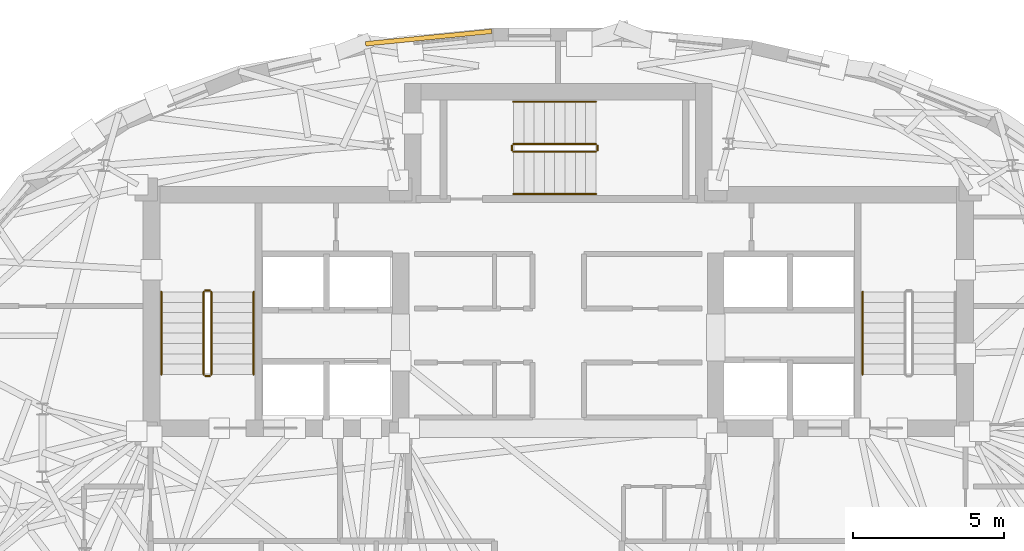
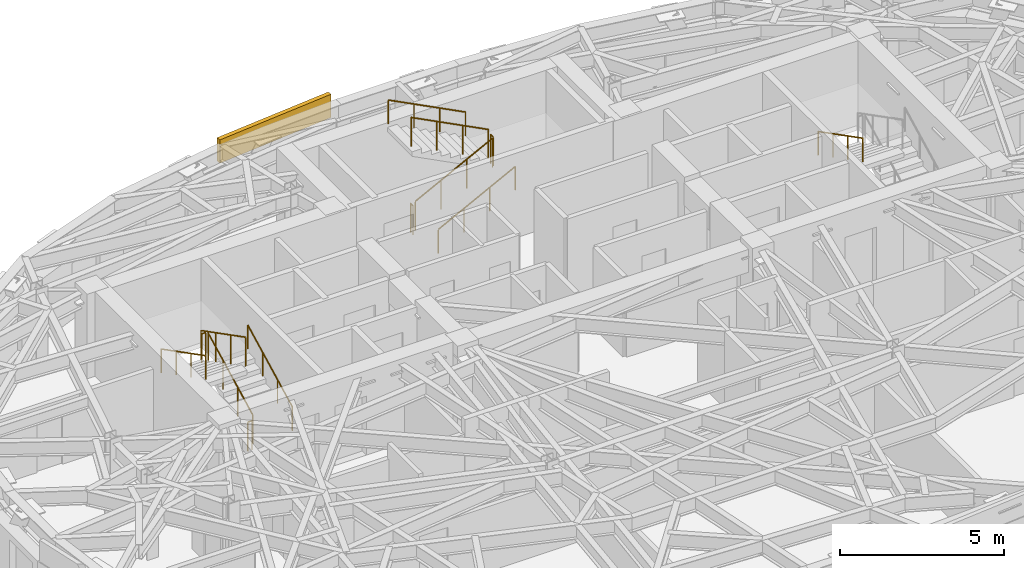
# One storey, part 12 of 13: 13 railings, 1 covering.
"""IFC4 building model written with IfcOpenShell, lengths in metres."""

from ifc_helpers import new_model, si_unit, direction, frame, origin, origin_2d, place, context, subcontext, project, spatial, rectangle, circle, extrude, material, layer, layer_set, type_object, element, save


model = new_model("IFC4")

# Units and contexts
model_context = context("Model", 3, precision=1e-05, world=origin(), true_north=direction((0.0, 1.0)))
body_context = subcontext(model_context, "Body", "Model", "MODEL_VIEW")
ifc_project = project(units=[si_unit("LENGTHUNIT", "METRE"), si_unit("AREAUNIT", "SQUARE_METRE"), si_unit("VOLUMEUNIT", "CUBIC_METRE"), si_unit("PLANEANGLEUNIT", "RADIAN"), si_unit("MASSUNIT", "GRAM", prefix="KILO")], contexts=[model_context])

# Site, building, storey
site_placement = place(None, origin())
site = spatial("IfcSite", under=ifc_project, at=site_placement, CompositionType="ELEMENT")
building_placement = place(site_placement, origin())
building = spatial("IfcBuilding", under=site, at=building_placement, Name="Keldmark Tower", CompositionType="ELEMENT")
storey_placement = place(building_placement, frame((0.0, 0.0, 244.64990234375)))
storey = spatial("IfcBuildingStorey", under=building, at=storey_placement, Name="L69", CompositionType="ELEMENT", Elevation=244.64990234375)

# Covering
ifc_material_1 = material(Name="Honed Kasota Buff Dolomitic Limestone", Category="masonry")
ifc_layer = layer(ifc_material_1, 0.074951171875)
ifc_layer_set = layer_set([ifc_layer], Name="Honed Kasota Buff Dolomitic Limestone")
covering_type = type_object("IfcCoveringType", Name="Kasota Buff Limestone Spandrel Cladding Band", PredefinedType="CLADDING", material=ifc_layer_set)
covering_placement = place(storey_placement, frame((-4.276123046875, 14.467529296875, 2.260009765625), z_axis=(0.0, 0.0, 1.0), x_axis=(-0.995131548634, -0.098555572711, 0.0)))
element("IfcCovering", 1, at=covering_placement, inside=storey, type_object=covering_type, Name="L69 Kasota Limestone Spandrel Band 09", PredefinedType="CLADDING", context=body_context, shape_type="SweptSolid", body=[
    extrude(rectangle(XDim=4.17919921875, YDim=0.14990234375, at=origin_2d()), origin(), (0.0, 0.0, 1.0), 0.8701171875),
])

# Railings
ifc_material_2 = material(Name="Painted Steel ASTM A500 Grade B", Category="steel")
railing_type_1 = type_object("IfcRailingType", Name="Painted Steel Stair Well Guard 1100 mm", PredefinedType="GUARDRAIL", material=ifc_material_2)
railing_1_placement = place(storey_placement, frame((-11.449951171875, 3.35009765625, 0.175048828125)))
element("IfcRailing", 2, at=railing_1_placement, inside=storey, type_object=railing_type_1, Name="L69 ST1 stair guard 1", PredefinedType="GUARDRAIL", context=body_context, shape_type="SweptSolid", body=[
    extrude(circle(Radius=0.02392578125, at=origin_2d()), frame((0.0, 0.0, 1.076171875), z_axis=(0.0, 0.889114319608, 0.457685182924), x_axis=(-1.0, 0.0, 0.0)), (0.0, 0.0, 1.0), 3.05908203125),
    extrude(circle(Radius=0.02099609375, at=origin_2d()), origin(), (0.0, 0.0, 1.0), 1.052001953125),
    extrude(circle(Radius=0.02099609375, at=origin_2d()), frame((0.0, 0.90673828125, 0.466796875)), (0.0, 0.0, 1.0), 1.052001953125),
    extrude(circle(Radius=0.02099609375, at=origin_2d()), frame((0.0, 1.813232421875, 0.933349609375)), (0.0, 0.0, 1.0), 1.052001953125),
    extrude(circle(Radius=0.02099609375, at=origin_2d()), frame((0.0, 2.719970703125, 1.400146484375)), (0.0, 0.0, 1.0), 1.052001953125),
])
railing_2_placement = place(storey_placement, frame((-11.5, 6.1201171875, 1.5751953125)))
element("IfcRailing", 3, at=railing_2_placement, inside=storey, type_object=railing_type_1, Name="L69 ST1 stair guard 2", PredefinedType="GUARDRAIL", context=body_context, shape_type="SweptSolid", body=[
    extrude(circle(Radius=0.02392578125, at=origin_2d()), frame((0.0, 0.0, 1.076171875), z_axis=(-1.0, 0.0, 0.0), x_axis=(0.0, -1.0, 0.0)), (0.0, 0.0, 1.0), 0.14990234375),
    extrude(circle(Radius=0.02099609375, at=origin_2d()), origin(), (0.0, 0.0, 1.0), 1.052001953125),
    extrude(circle(Radius=0.02099609375, at=origin_2d()), frame((-0.14990234375, 0.0, 0.0)), (0.0, 0.0, 1.0), 1.052001953125),
])
railing_3_placement = place(storey_placement, frame((-11.699951171875, 6.070068359375, 1.75)))
element("IfcRailing", 4, at=railing_3_placement, inside=storey, type_object=railing_type_1, Name="L69 ST1 stair guard 3", PredefinedType="GUARDRAIL", context=body_context, shape_type="SweptSolid", body=[
    extrude(circle(Radius=0.02392578125, at=origin_2d()), frame((0.0, 0.0, 1.076171875), z_axis=(0.0, -0.889114319608, 0.457685182924), x_axis=(1.0, 0.0, 0.0)), (0.0, 0.0, 1.0), 3.05908203125),
    extrude(circle(Radius=0.02099609375, at=origin_2d()), origin(), (0.0, 0.0, 1.0), 1.052001953125),
    extrude(circle(Radius=0.02099609375, at=origin_2d()), frame((0.0, -0.90673828125, 0.466796875)), (0.0, 0.0, 1.0), 1.052001953125),
    extrude(circle(Radius=0.02099609375, at=origin_2d()), frame((0.0, -1.813232421875, 0.933349609375)), (0.0, 0.0, 1.0), 1.052001953125),
    extrude(circle(Radius=0.02099609375, at=origin_2d()), frame((0.0, -2.719970703125, 1.400146484375)), (0.0, 0.0, 1.0), 1.052001953125),
])
railing_4_placement = place(storey_placement, frame((-11.5, 3.300048828125, 0.0)))
element("IfcRailing", 5, at=railing_4_placement, inside=storey, type_object=railing_type_1, Name="L69 ST1 stair guard 4", PredefinedType="GUARDRAIL", context=body_context, shape_type="SweptSolid", body=[
    extrude(circle(Radius=0.02392578125, at=origin_2d()), frame((0.0, 0.0, 1.076171875), z_axis=(-1.0, 0.0, 0.0), x_axis=(0.0, -1.0, 0.0)), (0.0, 0.0, 1.0), 0.14990234375),
    extrude(circle(Radius=0.02099609375, at=origin_2d()), origin(), (0.0, 0.0, 1.0), 1.052001953125),
    extrude(circle(Radius=0.02099609375, at=origin_2d()), frame((-0.14990234375, 0.0, 0.0)), (0.0, 0.0, 1.0), 1.052001953125),
])
railing_5_placement = place(storey_placement, frame((-1.47509765625, 10.699951171875, 0.175048828125)))
element("IfcRailing", 6, at=railing_5_placement, inside=storey, type_object=railing_type_1, Name="L69 ST3 stair guard 1", PredefinedType="GUARDRAIL", context=body_context, shape_type="SweptSolid", body=[
    extrude(circle(Radius=0.02392578125, at=origin_2d()), frame((0.0, 0.0, 1.076171875), z_axis=(0.889131035167, 0.0, 0.45765270927), x_axis=(0.0, 1.0, 0.0)), (0.0, 0.0, 1.0), 3.059326171875),
    extrude(circle(Radius=0.02099609375, at=origin_2d()), origin(), (0.0, 0.0, 1.0), 1.052001953125),
    extrude(circle(Radius=0.02099609375, at=origin_2d()), frame((0.90673828125, 0.0, 0.466796875)), (0.0, 0.0, 1.0), 1.052001953125),
    extrude(circle(Radius=0.02099609375, at=origin_2d()), frame((1.8134765625, 0.0, 0.933349609375)), (0.0, 0.0, 1.0), 1.052001953125),
    extrude(circle(Radius=0.02099609375, at=origin_2d()), frame((2.72021484375, 0.0, 1.400146484375)), (0.0, 0.0, 1.0), 1.052001953125),
])
railing_6_placement = place(storey_placement, frame((1.294921875, 10.75, 1.5751953125)))
element("IfcRailing", 7, at=railing_6_placement, inside=storey, type_object=railing_type_1, Name="L69 ST3 stair guard 2", PredefinedType="GUARDRAIL", context=body_context, shape_type="SweptSolid", body=[
    extrude(circle(Radius=0.02392578125, at=origin_2d()), frame((0.0, 0.0, 1.076171875), z_axis=(0.0, 1.0, 0.0), x_axis=(-1.0, 0.0, 0.0)), (0.0, 0.0, 1.0), 0.14990234375),
    extrude(circle(Radius=0.02099609375, at=origin_2d()), origin(), (0.0, 0.0, 1.0), 1.052001953125),
    extrude(circle(Radius=0.02099609375, at=origin_2d()), frame((0.0, 0.14990234375, 0.0)), (0.0, 0.0, 1.0), 1.052001953125),
])
railing_7_placement = place(storey_placement, frame((1.2451171875, 10.949951171875, 1.75)))
element("IfcRailing", 8, at=railing_7_placement, inside=storey, type_object=railing_type_1, Name="L69 ST3 stair guard 3", PredefinedType="GUARDRAIL", context=body_context, shape_type="SweptSolid", body=[
    extrude(circle(Radius=0.02392578125, at=origin_2d()), frame((0.0, 0.0, 1.076171875), z_axis=(-0.889131035167, 0.0, 0.45765270927), x_axis=(0.0, -1.0, 0.0)), (0.0, 0.0, 1.0), 3.059326171875),
    extrude(circle(Radius=0.02099609375, at=origin_2d()), origin(), (0.0, 0.0, 1.0), 1.052001953125),
    extrude(circle(Radius=0.02099609375, at=origin_2d()), frame((-0.90673828125, 0.0, 0.466796875)), (0.0, 0.0, 1.0), 1.052001953125),
    extrude(circle(Radius=0.02099609375, at=origin_2d()), frame((-1.8134765625, 0.0, 0.933349609375)), (0.0, 0.0, 1.0), 1.052001953125),
    extrude(circle(Radius=0.02099609375, at=origin_2d()), frame((-2.72021484375, 0.0, 1.400146484375)), (0.0, 0.0, 1.0), 1.052001953125),
])
railing_8_placement = place(storey_placement, frame((-1.52490234375, 10.75, 0.0)))
element("IfcRailing", 9, at=railing_8_placement, inside=storey, type_object=railing_type_1, Name="L69 ST3 stair guard 4", PredefinedType="GUARDRAIL", context=body_context, shape_type="SweptSolid", body=[
    extrude(circle(Radius=0.02392578125, at=origin_2d()), frame((0.0, 0.0, 1.076171875), z_axis=(0.0, 1.0, 0.0), x_axis=(-1.0, 0.0, 0.0)), (0.0, 0.0, 1.0), 0.14990234375),
    extrude(circle(Radius=0.02099609375, at=origin_2d()), origin(), (0.0, 0.0, 1.0), 1.052001953125),
    extrude(circle(Radius=0.02099609375, at=origin_2d()), frame((0.0, 0.14990234375, 0.0)), (0.0, 0.0, 1.0), 1.052001953125),
])
ifc_material_3 = material(Name="Stainless Steel AISI 316L", Category="steel")
railing_type_2 = type_object("IfcRailingType", Name="Stainless Steel Stair Handrail 900 mm", PredefinedType="HANDRAIL", material=ifc_material_3)
railing_9_placement = place(storey_placement, frame((-10.050048828125, 3.35009765625, 0.175048828125)))
element("IfcRailing", 10, at=railing_9_placement, inside=storey, type_object=railing_type_2, Name="L69 ST1 stair handrail 1", PredefinedType="HANDRAIL", context=body_context, shape_type="SweptSolid", body=[
    extrude(circle(Radius=0.02392578125, at=origin_2d()), frame((0.0, 0.0, 0.8759765625), z_axis=(0.0, 0.889114319608, 0.457685182924), x_axis=(-1.0, 0.0, 0.0)), (0.0, 0.0, 1.0), 3.05908203125),
    extrude(circle(Radius=0.02099609375, at=origin_2d()), origin(), (0.0, 0.0, 1.0), 0.851806640625),
    extrude(circle(Radius=0.02099609375, at=origin_2d()), frame((0.0, 0.90673828125, 0.466796875)), (0.0, 0.0, 1.0), 0.851806640625),
    extrude(circle(Radius=0.02099609375, at=origin_2d()), frame((0.0, 1.813232421875, 0.933349609375)), (0.0, 0.0, 1.0), 0.851806640625),
    extrude(circle(Radius=0.02099609375, at=origin_2d()), frame((0.0, 2.719970703125, 1.400146484375)), (0.0, 0.0, 1.0), 0.851806640625),
])
for number, where, name in (
    (11, (-13.10009765625, 6.070068359375, 1.75), "L69 ST1 stair handrail 2"),
    (12, (10.050048828125, 6.070068359375, 1.75), "L69 ST2 stair handrail 2"),
):
    element("IfcRailing", number, at=place(storey_placement, frame(where)), inside=storey, type_object=railing_type_2, Name=name, PredefinedType="HANDRAIL", context=body_context, shape_type="SweptSolid", body=[
        extrude(circle(Radius=0.02392578125, at=origin_2d()), frame((0.0, 0.0, 0.8759765625), z_axis=(0.0, -0.889114319608, 0.457685182924), x_axis=(1.0, 0.0, 0.0)), (0.0, 0.0, 1.0), 3.05908203125),
        extrude(circle(Radius=0.02099609375, at=origin_2d()), origin(), (0.0, 0.0, 1.0), 0.851806640625),
        extrude(circle(Radius=0.02099609375, at=origin_2d()), frame((0.0, -0.90673828125, 0.466796875)), (0.0, 0.0, 1.0), 0.851806640625),
        extrude(circle(Radius=0.02099609375, at=origin_2d()), frame((0.0, -1.813232421875, 0.933349609375)), (0.0, 0.0, 1.0), 0.851806640625),
        extrude(circle(Radius=0.02099609375, at=origin_2d()), frame((0.0, -2.719970703125, 1.400146484375)), (0.0, 0.0, 1.0), 0.851806640625),
    ])
railing_10_placement = place(storey_placement, frame((-1.47509765625, 9.300048828125, 0.175048828125)))
element("IfcRailing", 13, at=railing_10_placement, inside=storey, type_object=railing_type_2, Name="L69 ST3 stair handrail 1", PredefinedType="HANDRAIL", context=body_context, shape_type="SweptSolid", body=[
    extrude(circle(Radius=0.02392578125, at=origin_2d()), frame((0.0, 0.0, 0.8759765625), z_axis=(0.889131035167, 0.0, 0.45765270927), x_axis=(0.0, 1.0, 0.0)), (0.0, 0.0, 1.0), 3.059326171875),
    extrude(circle(Radius=0.02099609375, at=origin_2d()), origin(), (0.0, 0.0, 1.0), 0.851806640625),
    extrude(circle(Radius=0.02099609375, at=origin_2d()), frame((0.90673828125, 0.0, 0.466796875)), (0.0, 0.0, 1.0), 0.851806640625),
    extrude(circle(Radius=0.02099609375, at=origin_2d()), frame((1.8134765625, 0.0, 0.933349609375)), (0.0, 0.0, 1.0), 0.851806640625),
    extrude(circle(Radius=0.02099609375, at=origin_2d()), frame((2.72021484375, 0.0, 1.400146484375)), (0.0, 0.0, 1.0), 0.851806640625),
])
railing_11_placement = place(storey_placement, frame((1.2451171875, 12.35009765625, 1.75)))
element("IfcRailing", 14, at=railing_11_placement, inside=storey, type_object=railing_type_2, Name="L69 ST3 stair handrail 2", PredefinedType="HANDRAIL", context=body_context, shape_type="SweptSolid", body=[
    extrude(circle(Radius=0.02392578125, at=origin_2d()), frame((0.0, 0.0, 0.8759765625), z_axis=(-0.889131035167, 0.0, 0.45765270927), x_axis=(0.0, -1.0, 0.0)), (0.0, 0.0, 1.0), 3.059326171875),
    extrude(circle(Radius=0.02099609375, at=origin_2d()), origin(), (0.0, 0.0, 1.0), 0.851806640625),
    extrude(circle(Radius=0.02099609375, at=origin_2d()), frame((-0.90673828125, 0.0, 0.466796875)), (0.0, 0.0, 1.0), 0.851806640625),
    extrude(circle(Radius=0.02099609375, at=origin_2d()), frame((-1.8134765625, 0.0, 0.933349609375)), (0.0, 0.0, 1.0), 0.851806640625),
    extrude(circle(Radius=0.02099609375, at=origin_2d()), frame((-2.72021484375, 0.0, 1.400146484375)), (0.0, 0.0, 1.0), 0.851806640625),
])

save(model, "model.ifc")
